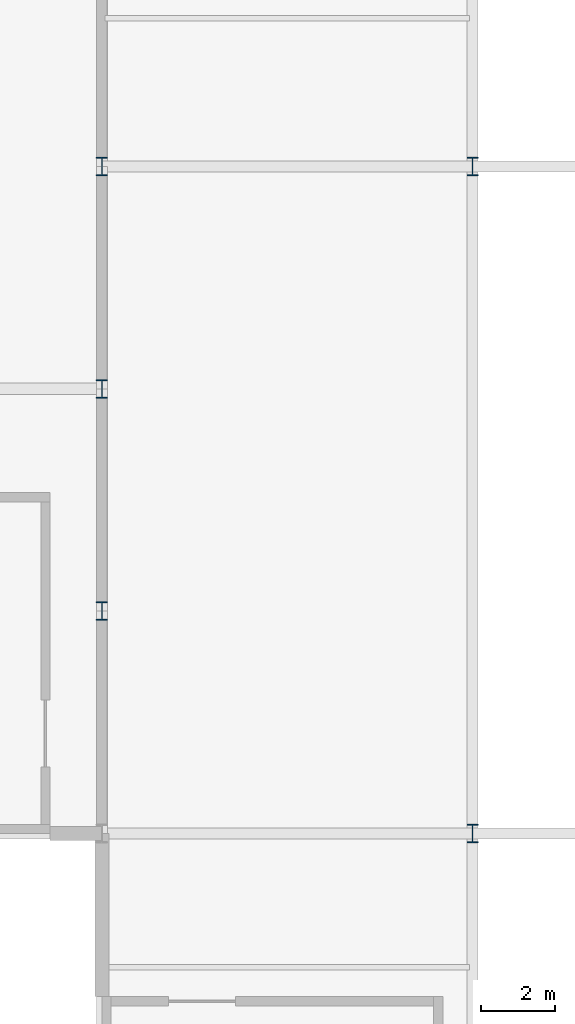
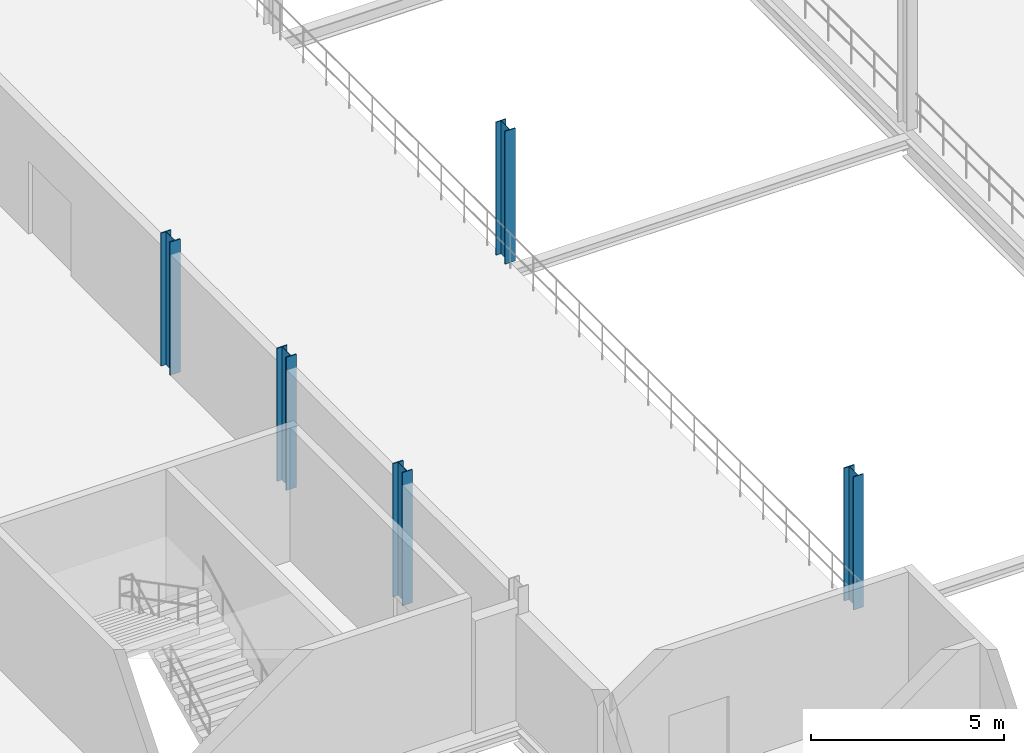
# One storey, part 3 of 158: 5 columns.
"""IFC4 building model written with IfcOpenShell, lengths in metres."""

from ifc_helpers import new_model, si_unit, direction, frame, origin, origin_2d, place, context, subcontext, project, spatial, i_section, extrude, material, material_profile, profile_set, type_object, element, save


model = new_model("IFC4")

# Units and contexts
model_context = context("Model", 3, precision=1e-05, world=origin(), true_north=direction((0.0, 1.0)))
body_context = subcontext(model_context, "Body", "Model", "MODEL_VIEW")
ifc_project = project(units=[si_unit("LENGTHUNIT", "METRE"), si_unit("AREAUNIT", "SQUARE_METRE"), si_unit("VOLUMEUNIT", "CUBIC_METRE"), si_unit("PLANEANGLEUNIT", "RADIAN"), si_unit("MASSUNIT", "GRAM", prefix="KILO")], contexts=[model_context])

# Site, building, storey
site_placement = place(None, origin())
site = spatial("IfcSite", under=ifc_project, at=site_placement, CompositionType="ELEMENT")
building_placement = place(site_placement, origin())
building = spatial("IfcBuilding", under=site, at=building_placement, Name="Zilviju Railside Exhibition Hall", CompositionType="ELEMENT")
storey_placement = place(building_placement, frame((0.0, 0.0, 4.199951171875)))
storey = spatial("IfcBuildingStorey", under=building, at=storey_placement, Name="L02", CompositionType="ELEMENT", Elevation=4.199951171875)

# Columns
ifc_material = material(Name="Steel S355J2", Category="steel")
ifc_material_profile = material_profile(ifc_material, i_section(OverallWidth=0.300048828125, OverallDepth=0.5, WebThickness=0.014404296875, FlangeThickness=0.028076171875, at=origin_2d()), Name="HEB 500")
ifc_profile_set = profile_set([ifc_material_profile], Name="Steel S355J2")
column_type = type_object("IfcColumnType", Name="COL-ST-HEB500", PredefinedType="COLUMN", material=ifc_profile_set)
for number, where, z_axis, x_axis, name in (
    (1, (58.0, 36.0, 0.0), (0.0, 0.0, 1.0), (1.0, 0.0, 0.0), "Structural Column L02 (58.0, 36.0)"),
    (2, (48.0, 42.0, 0.0), (0.0, 0.0, 1.0), (1.0, 0.0, 0.0), "Structural Column L02 (48.0, 42.0)"),
    (3, (48.0, 48.0, 0.0), (0.0, 0.0, 1.0), (1.0, 0.0, 0.0), "Structural Column L02 (48.0, 48.0)"),
    (4, (48.0, 54.0, 0.0), (0.0, 0.0, 1.0), (1.0, 0.0, 0.0), "Structural Column L02 (48.0, 54.0)"),
    (5, (58.0, 54.0, 0.0), (0.0, 0.0, 1.0), (1.0, 0.0, 0.0), "Structural Column L02 (58.0, 54.0)"),
):
    element("IfcColumn", number, at=place(storey_placement, frame(where, z_axis=z_axis, x_axis=x_axis)), inside=storey, type_object=column_type, Name=name, PredefinedType="COLUMN", context=body_context, shape_type="SweptSolid", body=[
        extrude(i_section(OverallWidth=0.300048828125, OverallDepth=0.5, WebThickness=0.014404296875, FlangeThickness=0.028076171875, at=origin_2d()), origin(), (0.0, 0.0, 1.0), 4.199951171875),
    ])

save(model, "model.ifc")
